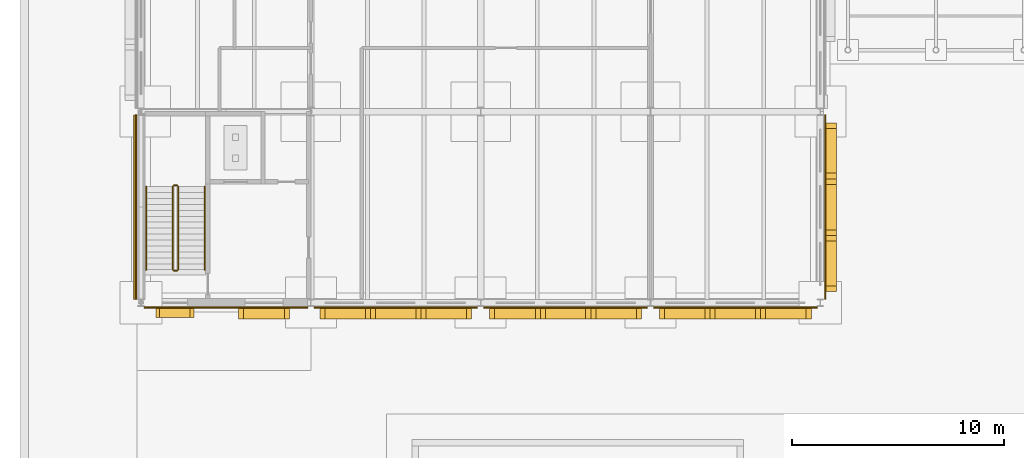
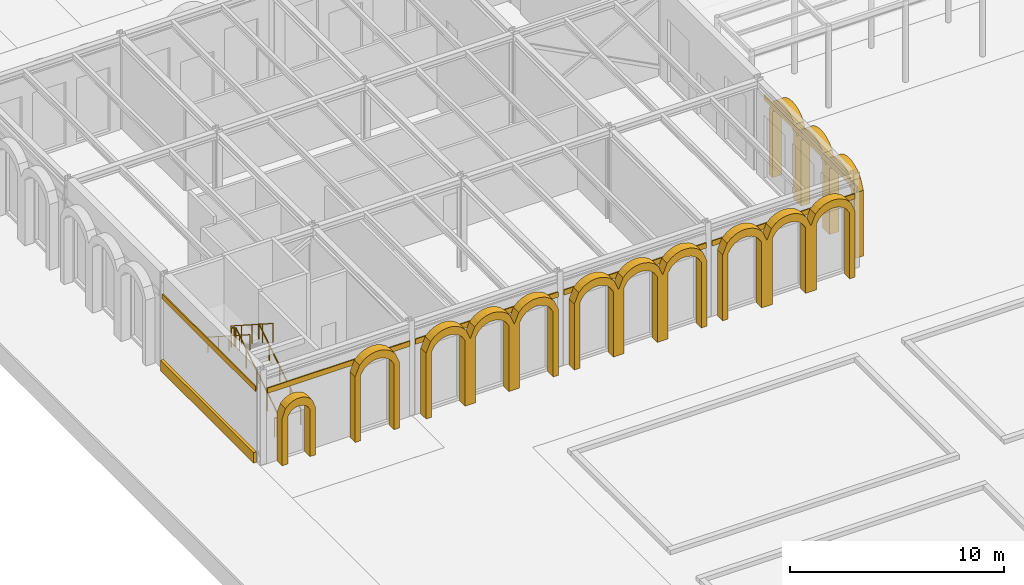
# One storey, part 107 of 126: 13 coverings, 6 railings.
"""IFC4 building model written with IfcOpenShell, lengths in metres."""

from ifc_helpers import new_model, si_unit, direction, frame, origin, origin_2d, place, context, subcontext, project, spatial, polyline, rectangle, circle, outline, extrude, material, layer, layer_set, type_object, element, save


model = new_model("IFC4")

# Units and contexts
model_context = context("Model", 3, precision=1e-05, world=origin(), true_north=direction((0.0, 1.0)))
body_context = subcontext(model_context, "Body", "Model", "MODEL_VIEW")
ifc_project = project(units=[si_unit("LENGTHUNIT", "METRE"), si_unit("AREAUNIT", "SQUARE_METRE"), si_unit("VOLUMEUNIT", "CUBIC_METRE"), si_unit("PLANEANGLEUNIT", "RADIAN"), si_unit("MASSUNIT", "GRAM", prefix="KILO")], contexts=[model_context])

# Site, building, storey
site_placement = place(None, origin())
site = spatial("IfcSite", under=ifc_project, at=site_placement, CompositionType="ELEMENT")
building_placement = place(site_placement, origin())
building = spatial("IfcBuilding", under=site, at=building_placement, Name="Kallimachos Central Library", CompositionType="ELEMENT")
storey_placement = place(building_placement, origin())
storey = spatial("IfcBuildingStorey", under=building, at=storey_placement, Name="L00", CompositionType="ELEMENT", Elevation=0.0)

# Railings
ifc_material_1 = material(Name="Steel S355J2", Category="steel")
railing_type_1 = type_object("IfcRailingType", Name="Stair guard 1100", PredefinedType="GUARDRAIL", material=ifc_material_1)
railing_1_placement = place(storey_placement, frame((7.75, 88.550048828125, 0.179931640625)))
element("IfcRailing", 1, at=railing_1_placement, inside=storey, type_object=railing_type_1, Name="L00 ST5 stair guard 1", PredefinedType="GUARDRAIL", context=body_context, shape_type="SweptSolid", body=[
    extrude(circle(Radius=0.02392578125, at=origin_2d()), frame((0.0, 0.0, 1.076171875), z_axis=(0.0, 0.841171666519, 0.540768182723), x_axis=(-1.0, 0.0, 0.0)), (0.0, 0.0, 1.0), 4.66015625),
    extrude(circle(Radius=0.02099609375, at=origin_2d()), origin(), (0.0, 0.0, 1.0), 1.052001953125),
    extrude(circle(Radius=0.02099609375, at=origin_2d()), frame((0.0, 0.97998046875, 0.6298828125)), (0.0, 0.0, 1.0), 1.052001953125),
    extrude(circle(Radius=0.02099609375, at=origin_2d()), frame((0.0, 1.9599609375, 1.260009765625)), (0.0, 0.0, 1.0), 1.052001953125),
    extrude(circle(Radius=0.02099609375, at=origin_2d()), frame((0.0, 2.93994140625, 1.89013671875)), (0.0, 0.0, 1.0), 1.052001953125),
    extrude(circle(Radius=0.02099609375, at=origin_2d()), frame((0.0, 3.919921875, 2.52001953125)), (0.0, 0.0, 1.0), 1.052001953125),
])
railing_2_placement = place(storey_placement, frame((7.699951171875, 92.52001953125, 2.699951171875)))
element("IfcRailing", 2, at=railing_2_placement, inside=storey, type_object=railing_type_1, Name="L00 ST5 stair guard 2", PredefinedType="GUARDRAIL", context=body_context, shape_type="SweptSolid", body=[
    extrude(circle(Radius=0.02392578125, at=origin_2d()), frame((0.0, 0.0, 1.076171875), z_axis=(-1.0, 0.0, 0.0), x_axis=(0.0, -1.0, 0.0)), (0.0, 0.0, 1.0), 0.14990234375),
    extrude(circle(Radius=0.02099609375, at=origin_2d()), origin(), (0.0, 0.0, 1.0), 1.052001953125),
    extrude(circle(Radius=0.02099609375, at=origin_2d()), frame((-0.14990234375, 0.0, 0.0)), (0.0, 0.0, 1.0), 1.052001953125),
])
railing_3_placement = place(storey_placement, frame((7.5, 92.469970703125, 2.8798828125)))
element("IfcRailing", 3, at=railing_3_placement, inside=storey, type_object=railing_type_1, Name="L00 ST5 stair guard 3", PredefinedType="GUARDRAIL", context=body_context, shape_type="SweptSolid", body=[
    extrude(circle(Radius=0.02392578125, at=origin_2d()), frame((0.0, 0.0, 1.076171875), z_axis=(0.0, -0.841171666519, 0.540768182723), x_axis=(1.0, 0.0, 0.0)), (0.0, 0.0, 1.0), 4.66015625),
    extrude(circle(Radius=0.02099609375, at=origin_2d()), origin(), (0.0, 0.0, 1.0), 1.052001953125),
    extrude(circle(Radius=0.02099609375, at=origin_2d()), frame((0.0, -0.97998046875, 0.6298828125)), (0.0, 0.0, 1.0), 1.052001953125),
    extrude(circle(Radius=0.02099609375, at=origin_2d()), frame((0.0, -1.9599609375, 1.260009765625)), (0.0, 0.0, 1.0), 1.052001953125),
    extrude(circle(Radius=0.02099609375, at=origin_2d()), frame((0.0, -2.93994140625, 1.89013671875)), (0.0, 0.0, 1.0), 1.052001953125),
    extrude(circle(Radius=0.02099609375, at=origin_2d()), frame((0.0, -3.919921875, 2.52001953125)), (0.0, 0.0, 1.0), 1.052001953125),
])
railing_4_placement = place(storey_placement, frame((7.699951171875, 88.5, 0.0)))
element("IfcRailing", 4, at=railing_4_placement, inside=storey, type_object=railing_type_1, Name="L00 ST5 stair guard 4", PredefinedType="GUARDRAIL", context=body_context, shape_type="SweptSolid", body=[
    extrude(circle(Radius=0.02392578125, at=origin_2d()), frame((0.0, 0.0, 1.076171875), z_axis=(-1.0, 0.0, 0.0), x_axis=(0.0, -1.0, 0.0)), (0.0, 0.0, 1.0), 0.14990234375),
    extrude(circle(Radius=0.02099609375, at=origin_2d()), origin(), (0.0, 0.0, 1.0), 1.052001953125),
    extrude(circle(Radius=0.02099609375, at=origin_2d()), frame((-0.14990234375, 0.0, 0.0)), (0.0, 0.0, 1.0), 1.052001953125),
])
ifc_material_2 = material(Name="Steel S355J2", Category="steel")
railing_type_2 = type_object("IfcRailingType", Name="Stair handrail 900", PredefinedType="HANDRAIL", material=ifc_material_2)
railing_5_placement = place(storey_placement, frame((9.0, 88.550048828125, 0.179931640625)))
element("IfcRailing", 5, at=railing_5_placement, inside=storey, type_object=railing_type_2, Name="L00 ST5 stair handrail 1", PredefinedType="HANDRAIL", context=body_context, shape_type="SweptSolid", body=[
    extrude(circle(Radius=0.02392578125, at=origin_2d()), frame((0.0, 0.0, 0.8759765625), z_axis=(0.0, 0.841171666519, 0.540768182723), x_axis=(-1.0, 0.0, 0.0)), (0.0, 0.0, 1.0), 4.66015625),
    extrude(circle(Radius=0.02099609375, at=origin_2d()), origin(), (0.0, 0.0, 1.0), 0.851806640625),
    extrude(circle(Radius=0.02099609375, at=origin_2d()), frame((0.0, 0.97998046875, 0.6298828125)), (0.0, 0.0, 1.0), 0.851806640625),
    extrude(circle(Radius=0.02099609375, at=origin_2d()), frame((0.0, 1.9599609375, 1.260009765625)), (0.0, 0.0, 1.0), 0.851806640625),
    extrude(circle(Radius=0.02099609375, at=origin_2d()), frame((0.0, 2.93994140625, 1.89013671875)), (0.0, 0.0, 1.0), 0.851806640625),
    extrude(circle(Radius=0.02099609375, at=origin_2d()), frame((0.0, 3.919921875, 2.52001953125)), (0.0, 0.0, 1.0), 0.851806640625),
])
railing_6_placement = place(storey_placement, frame((6.25, 92.469970703125, 2.8798828125)))
element("IfcRailing", 6, at=railing_6_placement, inside=storey, type_object=railing_type_2, Name="L00 ST5 stair handrail 2", PredefinedType="HANDRAIL", context=body_context, shape_type="SweptSolid", body=[
    extrude(circle(Radius=0.02392578125, at=origin_2d()), frame((0.0, 0.0, 0.8759765625), z_axis=(0.0, -0.841171666519, 0.540768182723), x_axis=(1.0, 0.0, 0.0)), (0.0, 0.0, 1.0), 4.66015625),
    extrude(circle(Radius=0.02099609375, at=origin_2d()), origin(), (0.0, 0.0, 1.0), 0.851806640625),
    extrude(circle(Radius=0.02099609375, at=origin_2d()), frame((0.0, -0.97998046875, 0.6298828125)), (0.0, 0.0, 1.0), 0.851806640625),
    extrude(circle(Radius=0.02099609375, at=origin_2d()), frame((0.0, -1.9599609375, 1.260009765625)), (0.0, 0.0, 1.0), 0.851806640625),
    extrude(circle(Radius=0.02099609375, at=origin_2d()), frame((0.0, -2.93994140625, 1.89013671875)), (0.0, 0.0, 1.0), 0.851806640625),
    extrude(circle(Radius=0.02099609375, at=origin_2d()), frame((0.0, -3.919921875, 2.52001953125)), (0.0, 0.0, 1.0), 0.851806640625),
])

# Coverings
ifc_material_3 = material(Name="Pentelic marble arcade ring", Category="masonry")
ifc_layer_1 = layer(ifc_material_3, 0.5)
ifc_layer_set_1 = layer_set([ifc_layer_1], Name="Stone arcade ring 500")
covering_type_1 = type_object("IfcCoveringType", Name="Stone arcade ring 500", PredefinedType="MOLDING", material=ifc_layer_set_1)
covering_1_placement = place(storey_placement, frame((10.89990234375, 86.239990234375, 0.0), z_axis=(0.0, -1.0, 0.0), x_axis=(0.0, 0.0, 1.0)))
element("IfcCovering", 7, at=covering_1_placement, inside=storey, type_object=covering_type_1, Name="Arcade ring -L00-005-1", PredefinedType="MOLDING", context=body_context, shape_type="SweptSolid", body=[
    extrude(outline(polyline([(0.0, 0.0), (3.75, 0.0), (4.032470703125, -0.18017578125), (4.186767578125, -0.360107421875), (4.281005859375, -0.5400390625), (4.333251953125, -0.72021484375), (4.35009765625, -0.900146484375), (4.333251953125, -1.080078125), (4.281005859375, -1.260009765625), (4.186767578125, -1.440185546875), (4.032470703125, -1.6201171875), (3.75, -1.800048828125), (0.0, -1.800048828125), (0.0, -2.10009765625), (3.75, -2.10009765625), (4.326904296875, -1.860107421875), (4.5625, -1.6201171875), (4.70068359375, -1.380126953125), (4.77587890625, -1.14013671875), (4.800048828125, -0.900146484375), (4.77587890625, -0.66015625), (4.70068359375, -0.420166015625), (4.5625, -0.18017578125), (4.326904296875, 0.059814453125), (3.75, 0.2998046875), (0.0, 0.2998046875), (0.0, 0.0)])), origin(), (0.0, 0.0, -1.0), 0.5),
])
covering_2_placement = place(storey_placement, frame((14.72509765625, 86.239990234375, 0.0), z_axis=(0.0, -1.0, 0.0), x_axis=(0.0, 0.0, 1.0)))
element("IfcCovering", 8, at=covering_2_placement, inside=storey, type_object=covering_type_1, Name="Arcade ring -L00-006-2", PredefinedType="MOLDING", context=body_context, shape_type="SweptSolid", body=[
    extrude(outline(polyline([(0.0, 0.0), (3.75, 0.0), (4.032470703125, -0.179931640625), (4.186767578125, -0.35986328125), (4.281005859375, -0.539794921875), (4.333251953125, -0.719970703125), (4.35009765625, -0.89990234375), (4.333251953125, -1.079833984375), (4.281005859375, -1.260009765625), (4.186767578125, -1.43994140625), (4.032470703125, -1.619873046875), (3.75, -1.7998046875), (0.0, -1.7998046875), (0.0, -2.375), (3.75, -2.375), (4.032470703125, -2.554931640625), (4.186767578125, -2.73486328125), (4.281005859375, -2.914794921875), (4.333251953125, -3.094970703125), (4.35009765625, -3.27490234375), (4.333251953125, -3.454833984375), (4.281005859375, -3.635009765625), (4.186767578125, -3.81494140625), (4.032470703125, -3.994873046875), (3.75, -4.1748046875), (0.0, -4.1748046875), (0.0, -4.75), (3.75, -4.75), (4.032470703125, -4.929931640625), (4.186767578125, -5.10986328125), (4.281005859375, -5.289794921875), (4.333251953125, -5.469970703125), (4.35009765625, -5.64990234375), (4.333251953125, -5.829833984375), (4.281005859375, -6.010009765625), (4.186767578125, -6.18994140625), (4.032470703125, -6.369873046875), (3.75, -6.5498046875), (0.0, -6.5498046875), (0.0, -6.849853515625), (3.75, -6.849853515625), (4.328857421875, -6.611083984375), (4.563720703125, -6.372314453125), (4.701171875, -6.1337890625), (4.776123046875, -5.89501953125), (4.800048828125, -5.656005859375), (4.776123046875, -5.41748046875), (4.701171875, -5.1787109375), (4.563720703125, -4.93994140625), (4.328857421875, -4.701171875), (3.75, -4.46240234375), (4.330810546875, -4.224853515625), (4.564697265625, -3.9873046875), (4.70166015625, -3.75), (4.776123046875, -3.512451171875), (4.800048828125, -3.27490234375), (4.776123046875, -3.037353515625), (4.70166015625, -2.7998046875), (4.564697265625, -2.5625), (4.330810546875, -2.324951171875), (3.75, -2.08740234375), (4.328857421875, -1.8486328125), (4.563720703125, -1.60986328125), (4.701171875, -1.37109375), (4.776123046875, -1.13232421875), (4.800048828125, -0.893798828125), (4.776123046875, -0.65478515625), (4.701171875, -0.416015625), (4.563720703125, -0.177490234375), (4.328857421875, 0.061279296875), (3.75, 0.300048828125), (0.0, 0.300048828125), (0.0, 0.0)])), origin(), (0.0, 0.0, -1.0), 0.5),
])
covering_3_placement = place(storey_placement, frame((22.72509765625, 86.239990234375, 0.0), z_axis=(0.0, -1.0, 0.0), x_axis=(0.0, 0.0, 1.0)))
element("IfcCovering", 9, at=covering_3_placement, inside=storey, type_object=covering_type_1, Name="Arcade ring -L00-007-3", PredefinedType="MOLDING", context=body_context, shape_type="SweptSolid", body=[
    extrude(outline(polyline([(0.0, 0.0), (3.75, 0.0), (4.032470703125, -0.179931640625), (4.186767578125, -0.35986328125), (4.281005859375, -0.539794921875), (4.333251953125, -0.719970703125), (4.35009765625, -0.89990234375), (4.333251953125, -1.079833984375), (4.281005859375, -1.260009765625), (4.186767578125, -1.43994140625), (4.032470703125, -1.619873046875), (3.75, -1.7998046875), (0.0, -1.7998046875), (0.0, -2.375), (3.75, -2.375), (4.032470703125, -2.554931640625), (4.186767578125, -2.73486328125), (4.281005859375, -2.914794921875), (4.333251953125, -3.094970703125), (4.35009765625, -3.27490234375), (4.333251953125, -3.454833984375), (4.281005859375, -3.635009765625), (4.186767578125, -3.81494140625), (4.032470703125, -3.994873046875), (3.75, -4.1748046875), (0.0, -4.1748046875), (0.0, -4.75), (3.75, -4.75), (4.032470703125, -4.929931640625), (4.186767578125, -5.10986328125), (4.281005859375, -5.289794921875), (4.333251953125, -5.469970703125), (4.35009765625, -5.64990234375), (4.333251953125, -5.829833984375), (4.281005859375, -6.010009765625), (4.186767578125, -6.18994140625), (4.032470703125, -6.369873046875), (3.75, -6.5498046875), (0.0, -6.5498046875), (0.0, -6.849853515625), (3.75, -6.849853515625), (4.328857421875, -6.611083984375), (4.563720703125, -6.372314453125), (4.701171875, -6.1337890625), (4.776123046875, -5.89501953125), (4.800048828125, -5.656005859375), (4.776123046875, -5.41748046875), (4.701171875, -5.1787109375), (4.563720703125, -4.93994140625), (4.328857421875, -4.701171875), (3.75, -4.46240234375), (4.330810546875, -4.224853515625), (4.564697265625, -3.9873046875), (4.70166015625, -3.75), (4.776123046875, -3.512451171875), (4.800048828125, -3.27490234375), (4.776123046875, -3.037353515625), (4.70166015625, -2.7998046875), (4.564697265625, -2.5625), (4.330810546875, -2.324951171875), (3.75, -2.08740234375), (4.328857421875, -1.8486328125), (4.563720703125, -1.60986328125), (4.701171875, -1.37109375), (4.776123046875, -1.13232421875), (4.800048828125, -0.893798828125), (4.776123046875, -0.65478515625), (4.701171875, -0.416015625), (4.563720703125, -0.177490234375), (4.328857421875, 0.061279296875), (3.75, 0.300048828125), (0.0, 0.300048828125), (0.0, 0.0)])), origin(), (0.0, 0.0, -1.0), 0.5),
])
covering_4_placement = place(storey_placement, frame((30.72509765625, 86.239990234375, 0.0), z_axis=(0.0, -1.0, 0.0), x_axis=(0.0, 0.0, 1.0)))
element("IfcCovering", 10, at=covering_4_placement, inside=storey, type_object=covering_type_1, Name="Arcade ring -L00-008-4", PredefinedType="MOLDING", context=body_context, shape_type="SweptSolid", body=[
    extrude(outline(polyline([(0.0, 0.0), (3.75, 0.0), (4.032470703125, -0.179931640625), (4.186767578125, -0.35986328125), (4.281005859375, -0.539794921875), (4.333251953125, -0.719970703125), (4.35009765625, -0.89990234375), (4.333251953125, -1.079833984375), (4.281005859375, -1.260009765625), (4.186767578125, -1.43994140625), (4.032470703125, -1.619873046875), (3.75, -1.7998046875), (0.0, -1.7998046875), (0.0, -2.375), (3.75, -2.375), (4.032470703125, -2.554931640625), (4.186767578125, -2.73486328125), (4.281005859375, -2.914794921875), (4.333251953125, -3.094970703125), (4.35009765625, -3.27490234375), (4.333251953125, -3.454833984375), (4.281005859375, -3.635009765625), (4.186767578125, -3.81494140625), (4.032470703125, -3.994873046875), (3.75, -4.1748046875), (0.0, -4.1748046875), (0.0, -4.75), (3.75, -4.75), (4.032470703125, -4.929931640625), (4.186767578125, -5.10986328125), (4.281005859375, -5.289794921875), (4.333251953125, -5.469970703125), (4.35009765625, -5.64990234375), (4.333251953125, -5.829833984375), (4.281005859375, -6.010009765625), (4.186767578125, -6.18994140625), (4.032470703125, -6.369873046875), (3.75, -6.5498046875), (0.0, -6.5498046875), (0.0, -6.849853515625), (3.75, -6.849853515625), (4.328857421875, -6.611083984375), (4.563720703125, -6.372314453125), (4.701171875, -6.1337890625), (4.776123046875, -5.89501953125), (4.800048828125, -5.656005859375), (4.776123046875, -5.41748046875), (4.701171875, -5.1787109375), (4.563720703125, -4.93994140625), (4.328857421875, -4.701171875), (3.75, -4.46240234375), (4.330810546875, -4.224853515625), (4.564697265625, -3.9873046875), (4.70166015625, -3.75), (4.776123046875, -3.512451171875), (4.800048828125, -3.27490234375), (4.776123046875, -3.037353515625), (4.70166015625, -2.7998046875), (4.564697265625, -2.5625), (4.330810546875, -2.324951171875), (3.75, -2.08740234375), (4.328857421875, -1.8486328125), (4.563720703125, -1.60986328125), (4.701171875, -1.37109375), (4.776123046875, -1.13232421875), (4.800048828125, -0.893798828125), (4.776123046875, -0.65478515625), (4.701171875, -0.416015625), (4.563720703125, -0.177490234375), (4.328857421875, 0.061279296875), (3.75, 0.300048828125), (0.0, 0.300048828125), (0.0, 0.0)])), origin(), (0.0, 0.0, -1.0), 0.5),
])
covering_5_placement = place(storey_placement, frame((38.760009765625, 87.824951171875, 0.0), z_axis=(1.0, 0.0, 0.0), x_axis=(0.0, 0.0, 1.0)))
element("IfcCovering", 11, at=covering_5_placement, inside=storey, type_object=covering_type_1, Name="Arcade ring -L00-016-9", PredefinedType="MOLDING", context=body_context, shape_type="SweptSolid", body=[
    extrude(outline(polyline([(0.0, 0.0), (3.75, 0.0), (4.019287109375, -0.199951171875), (4.177978515625, -0.400146484375), (4.277099609375, -0.60009765625), (4.332275390625, -0.800048828125), (4.35009765625, -1.0), (4.332275390625, -1.199951171875), (4.277099609375, -1.400146484375), (4.177978515625, -1.60009765625), (4.019287109375, -1.800048828125), (3.75, -2.0), (0.0, -2.0), (0.0, -2.675048828125), (3.75, -2.675048828125), (4.019287109375, -2.875), (4.177978515625, -3.074951171875), (4.277099609375, -3.275146484375), (4.332275390625, -3.47509765625), (4.35009765625, -3.675048828125), (4.332275390625, -3.875), (4.277099609375, -4.074951171875), (4.177978515625, -4.275146484375), (4.019287109375, -4.47509765625), (3.75, -4.675048828125), (0.0, -4.675048828125), (0.0, -5.35009765625), (3.75, -5.35009765625), (4.019287109375, -5.550048828125), (4.177978515625, -5.75), (4.277099609375, -5.949951171875), (4.332275390625, -6.150146484375), (4.35009765625, -6.35009765625), (4.332275390625, -6.550048828125), (4.277099609375, -6.75), (4.177978515625, -6.949951171875), (4.019287109375, -7.150146484375), (3.75, -7.35009765625), (0.0, -7.35009765625), (0.0, -7.650146484375), (3.75, -7.650146484375), (4.294189453125, -7.38623046875), (4.54443359375, -7.12255859375), (4.69287109375, -6.85888671875), (4.77392578125, -6.594970703125), (4.800048828125, -6.331298828125), (4.77392578125, -6.067626953125), (4.69287109375, -5.803955078125), (4.54443359375, -5.5400390625), (4.294189453125, -5.2763671875), (3.75, -5.012451171875), (4.289794921875, -4.7451171875), (4.5419921875, -4.4775390625), (4.69189453125, -4.2099609375), (4.773681640625, -3.942626953125), (4.800048828125, -3.675048828125), (4.773681640625, -3.407470703125), (4.69189453125, -3.14013671875), (4.5419921875, -2.87255859375), (4.289794921875, -2.60498046875), (3.75, -2.337646484375), (4.294189453125, -2.07373046875), (4.54443359375, -1.81005859375), (4.69287109375, -1.54638671875), (4.77392578125, -1.282470703125), (4.800048828125, -1.018798828125), (4.77392578125, -0.755126953125), (4.69287109375, -0.491455078125), (4.54443359375, -0.2275390625), (4.294189453125, 0.0361328125), (3.75, 0.300048828125), (0.0, 0.300048828125), (0.0, 0.0)])), origin(), (0.0, 0.0, -1.0), 0.5),
])
ifc_material_4 = material(Name="Pentelic marble portal arch", Category="masonry")
ifc_layer_2 = layer(ifc_material_4, 0.5)
ifc_layer_set_2 = layer_set([ifc_layer_2], Name="Stone door portal 500")
covering_type_2 = type_object("IfcCoveringType", Name="Stone door portal 500", PredefinedType="MOLDING", material=ifc_layer_set_2)
covering_6_placement = place(storey_placement, frame((7.0, 86.300048828125, 0.0), z_axis=(0.0, -1.0, 0.0), x_axis=(0.0, 0.0, 1.0)))
element("IfcCovering", 12, at=covering_6_placement, inside=storey, type_object=covering_type_2, Name="Door portal -DOR-L00-002", PredefinedType="MOLDING", context=body_context, shape_type="SweptSolid", body=[
    extrude(outline(polyline([(0.0, 0.0), (2.699951171875, 0.0), (2.891845703125, -0.1201171875), (2.99560546875, -0.239990234375), (3.058837890625, -0.360107421875), (3.09375, -0.47998046875), (3.10498046875, -0.60009765625), (3.09375, -0.719970703125), (3.058837890625, -0.840087890625), (2.99560546875, -0.9599609375), (2.891845703125, -1.080078125), (2.699951171875, -1.199951171875), (0.0, -1.199951171875), (0.0, -1.5), (2.699951171875, -1.5), (3.19580078125, -1.320068359375), (3.375244140625, -1.139892578125), (3.47998046875, -0.9599609375), (3.536865234375, -0.780029296875), (3.554931640625, -0.60009765625), (3.536865234375, -0.419921875), (3.47998046875, -0.239990234375), (3.375244140625, -0.06005859375), (3.19580078125, 0.1201171875), (2.699951171875, 0.300048828125), (0.0, 0.300048828125), (0.0, 0.0)])), origin(), (0.0, 0.0, -1.0), 0.5),
])
ifc_material_5 = material(Name="Pentelic marble plinth course", Category="masonry")
ifc_layer_3 = layer(ifc_material_5, 0.14990234375)
ifc_layer_set_3 = layer_set([ifc_layer_3], Name="Stone plinth course 600")
covering_type_3 = type_object("IfcCoveringType", Name="Stone plinth course 600", PredefinedType="CLADDING", material=ifc_layer_set_3)
covering_7_placement = place(storey_placement, frame((5.72509765625, 91.5, 0.0), z_axis=(0.0, 0.0, 1.0), x_axis=(1.0, 0.0, 0.0)))
element("IfcCovering", 13, at=covering_7_placement, inside=storey, type_object=covering_type_3, Name="Stone plinth course 600 -L00-013", PredefinedType="CLADDING", context=body_context, shape_type="SweptSolid", body=[
    extrude(rectangle(XDim=0.14990234375, YDim=8.699951171875, at=origin_2d()), origin(), (0.0, 0.0, 1.0), 0.60009765625),
])
ifc_material_6 = material(Name="Pentelic marble", Category="masonry")
ifc_layer_4 = layer(ifc_material_6, 0.06005859375)
ifc_layer_set_4 = layer_set([ifc_layer_4], Name="Window head band")
covering_type_4 = type_object("IfcCoveringType", Name="Window head band", PredefinedType="MOLDING", material=ifc_layer_set_4)
for number, where, z_axis, x_axis, name in (
    (14, (10.0, 86.77001953125, 4.0498046875), (0.0, 0.0, 1.0), (1.0, 0.0, 0.0), "head band S6"),
    (15, (18.0, 86.77001953125, 4.0498046875), (0.0, 0.0, 1.0), (1.0, 0.0, 0.0), "head band S14"),
    (16, (26.0, 86.77001953125, 4.0498046875), (0.0, 0.0, 1.0), (1.0, 0.0, 0.0), "head band S22"),
    (17, (34.0, 86.77001953125, 4.0498046875), (0.0, 0.0, 1.0), (1.0, 0.0, 0.0), "head band S30"),
):
    element("IfcCovering", number, at=place(storey_placement, frame(where, z_axis=z_axis, x_axis=x_axis)), inside=storey, type_object=covering_type_4, Name=name, PredefinedType="MOLDING", context=body_context, shape_type="SweptSolid", body=[
        extrude(rectangle(XDim=7.699951171875, YDim=0.06005859375, at=origin_2d()), origin(), (0.0, 0.0, 1.0), 0.300048828125),
    ])
for number, where, z_axis, x_axis, name in (
    (18, (5.77001953125, 91.5, 4.0498046875), (0.0, 0.0, 1.0), (1.0, 0.0, 0.0), "head band W87"),
    (19, (38.22998046875, 91.5, 4.0498046875), (0.0, 0.0, 1.0), (1.0, 0.0, 0.0), "head band E87"),
):
    element("IfcCovering", number, at=place(storey_placement, frame(where, z_axis=z_axis, x_axis=x_axis)), inside=storey, type_object=covering_type_4, Name=name, PredefinedType="MOLDING", context=body_context, shape_type="SweptSolid", body=[
        extrude(rectangle(XDim=0.06005859375, YDim=8.699951171875, at=origin_2d()), origin(), (0.0, 0.0, 1.0), 0.300048828125),
    ])

save(model, "model.ifc")
